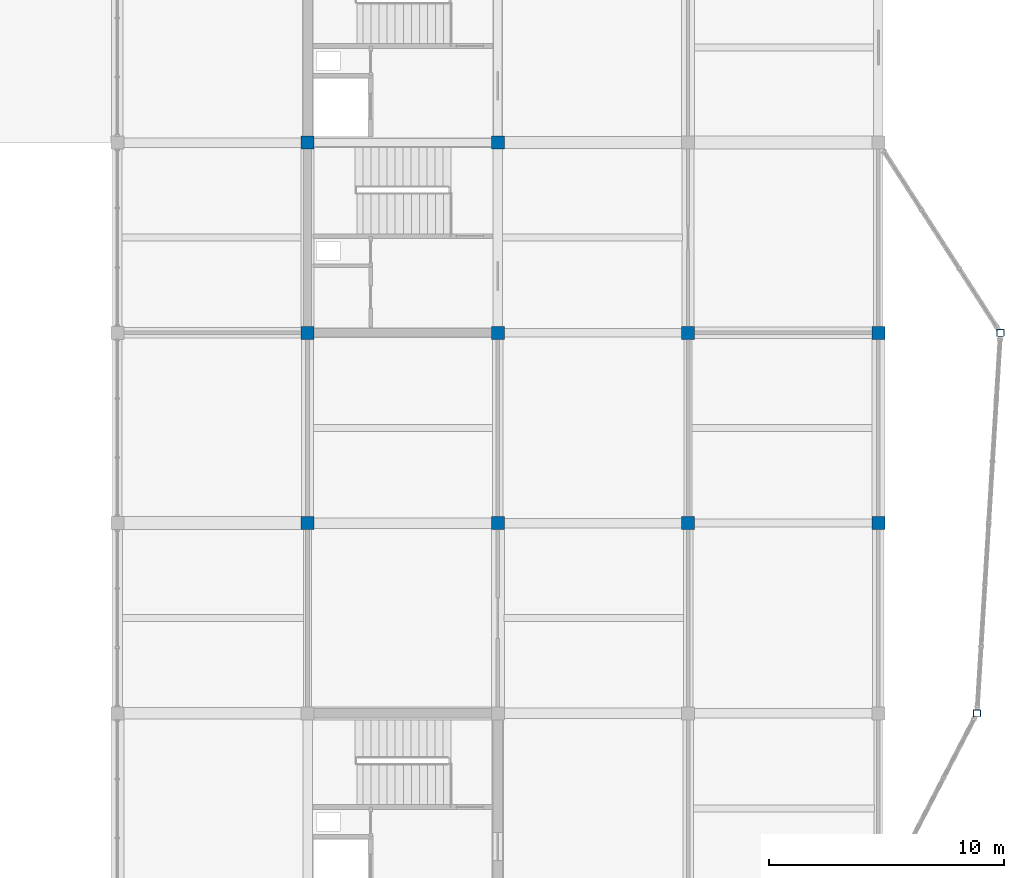
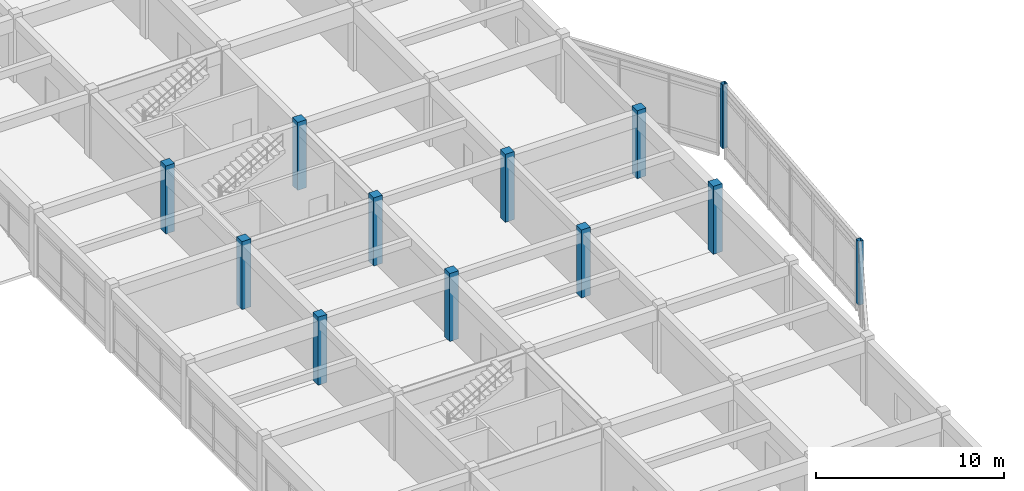
# One storey, part 11 of 33: 12 columns.
"""IFC4 building model written with IfcOpenShell, lengths in metres."""

from ifc_helpers import new_model, si_unit, direction, frame, origin, origin_2d, place, context, subcontext, project, spatial, rectangle, hollow_rectangle, extrude, material, material_profile, profile_set, type_object, element, save


model = new_model("IFC4")

# Units and contexts
model_context = context("Model", 3, precision=1e-05, world=origin(), true_north=direction((0.0, 1.0)))
body_context = subcontext(model_context, "Body", "Model", "MODEL_VIEW")
ifc_project = project(units=[si_unit("LENGTHUNIT", "METRE"), si_unit("AREAUNIT", "SQUARE_METRE"), si_unit("VOLUMEUNIT", "CUBIC_METRE"), si_unit("PLANEANGLEUNIT", "RADIAN"), si_unit("MASSUNIT", "GRAM", prefix="KILO")], contexts=[model_context])

# Site, building, storey
site_placement = place(None, origin())
site = spatial("IfcSite", under=ifc_project, at=site_placement, CompositionType="ELEMENT")
building_placement = place(site_placement, origin())
building = spatial("IfcBuilding", under=site, at=building_placement, Name="Vaudrelin Polytechnic", CompositionType="ELEMENT")
storey_placement = place(building_placement, frame((0.0, 0.0, 27.3701171875)))
storey = spatial("IfcBuildingStorey", under=building, at=storey_placement, Name="L06", CompositionType="ELEMENT", Elevation=27.3701171875)

# Columns
ifc_material_1 = material(Name="Steel CSA G40.21 350WT", Category="steel")
ifc_material_profile_1 = material_profile(ifc_material_1, hollow_rectangle(XDim=0.304931640625, YDim=0.304931640625, WallThickness=0.0126953125, InnerFilletRadius=0.0126953125, OuterFilletRadius=0.025390625, at=origin_2d()), Name="HSS305x305x12.7")
ifc_profile_set_1 = profile_set([ifc_material_profile_1], Name="Steel CSA G40.21 350WT")
column_type_1 = type_object("IfcColumnType", Name="COL-C-HSS305", PredefinedType="COLUMN", material=ifc_profile_set_1)
for number, where, z_axis, x_axis, name in (
    (1, (174.300048828125, 72.89990234375, 0.0), (0.0, 0.0, 1.0), (1.0, 0.0, 0.0), "Deconstructivist column L06 E_OR2_1"),
    (2, (175.300048828125, 89.10009765625, 0.0), (0.0, 0.0, 1.0), (1.0, 0.0, 0.0), "Deconstructivist column L06 E_OR2_2"),
):
    element("IfcColumn", number, at=place(storey_placement, frame(where, z_axis=z_axis, x_axis=x_axis)), inside=storey, type_object=column_type_1, Name=name, PredefinedType="COLUMN", context=body_context, shape_type="SweptSolid", body=[
        extrude(hollow_rectangle(XDim=0.304931640625, YDim=0.304931640625, WallThickness=0.0126953125, InnerFilletRadius=0.0126953125, OuterFilletRadius=0.025390625, at=origin_2d()), origin(), (0.0, 0.0, 1.0), 4.139892578125),
    ])
ifc_material_2 = material(Name="Concrete 40 MPa", Category="concrete")
ifc_material_profile_2 = material_profile(ifc_material_2, rectangle(XDim=0.550048828125, YDim=0.550048828125, at=origin_2d()), Name="RC550x550")
ifc_profile_set_2 = profile_set([ifc_material_profile_2], Name="Concrete 40 MPa")
column_type_2 = type_object("IfcColumnType", Name="COL-C-RC550", PredefinedType="COLUMN", material=ifc_profile_set_2)
for number, where, z_axis, x_axis, name in (
    (3, (145.800048828125, 81.0, 0.0), (0.0, 0.0, 1.0), (1.0, 0.0, 0.0), "Column L06 19-11"),
    (4, (145.800048828125, 89.10009765625, 0.0), (0.0, 0.0, 1.0), (1.0, 0.0, 0.0), "Column L06 19-12"),
    (5, (145.800048828125, 97.199951171875, 0.0), (0.0, 0.0, 1.0), (1.0, 0.0, 0.0), "Column L06 19-13"),
    (6, (153.89990234375, 81.0, 0.0), (0.0, 0.0, 1.0), (1.0, 0.0, 0.0), "Column L06 20-11"),
    (7, (153.89990234375, 89.10009765625, 0.0), (0.0, 0.0, 1.0), (1.0, 0.0, 0.0), "Column L06 20-12"),
    (8, (153.89990234375, 97.199951171875, 0.0), (0.0, 0.0, 1.0), (1.0, 0.0, 0.0), "Column L06 20-13"),
    (9, (162.0, 81.0, 0.0), (0.0, 0.0, 1.0), (1.0, 0.0, 0.0), "Column L06 21-11"),
    (10, (162.0, 89.10009765625, 0.0), (0.0, 0.0, 1.0), (1.0, 0.0, 0.0), "Column L06 21-12"),
    (11, (170.10009765625, 81.0, 0.0), (0.0, 0.0, 1.0), (1.0, 0.0, 0.0), "Column L06 22-11"),
    (12, (170.10009765625, 89.10009765625, 0.0), (0.0, 0.0, 1.0), (1.0, 0.0, 0.0), "Column L06 22-12"),
):
    element("IfcColumn", number, at=place(storey_placement, frame(where, z_axis=z_axis, x_axis=x_axis)), inside=storey, type_object=column_type_2, Name=name, PredefinedType="COLUMN", context=body_context, shape_type="SweptSolid", body=[
        extrude(rectangle(XDim=0.550048828125, YDim=0.550048828125, at=origin_2d()), origin(), (0.0, 0.0, 1.0), 4.419921875),
    ])

save(model, "model.ifc")
